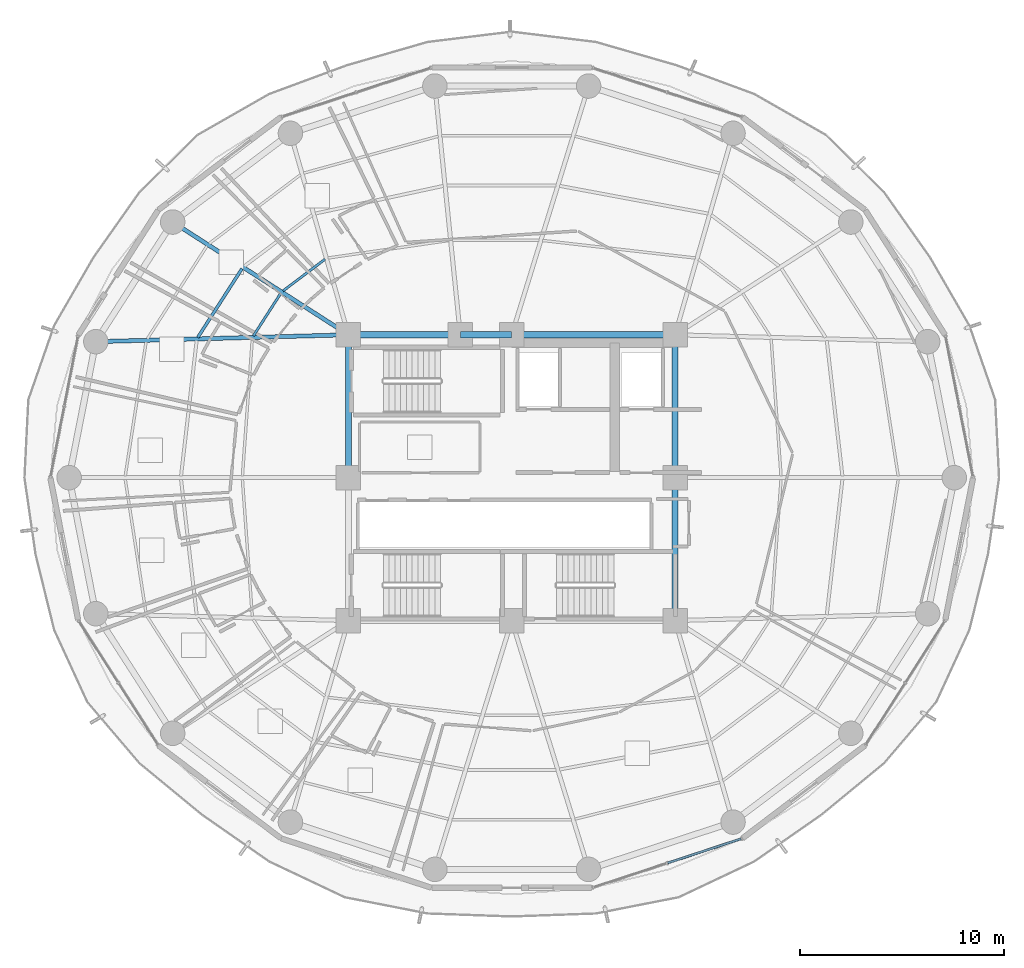
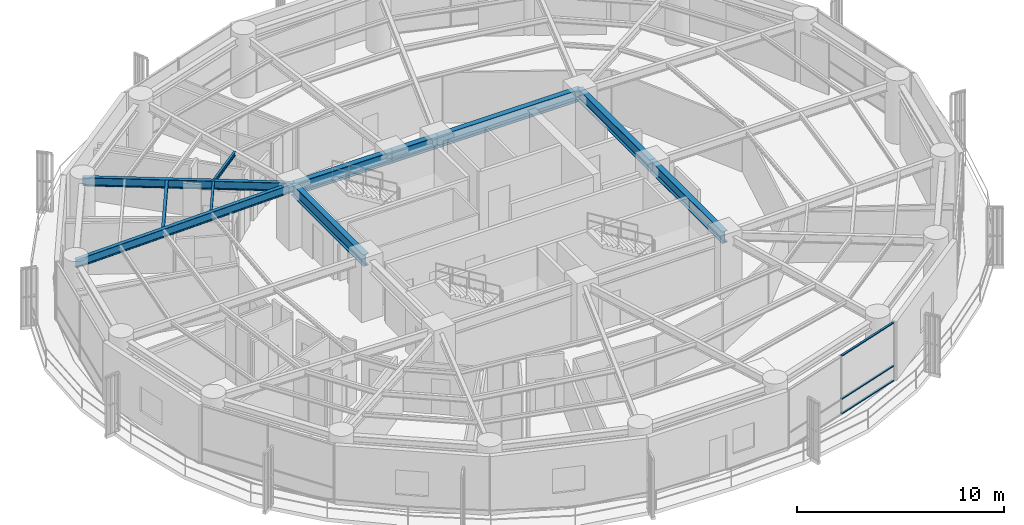
# One storey, part 9 of 28: 11 beams, 3 members, 1 element without a shape of its own.
"""IFC4 building model written with IfcOpenShell, lengths in metres."""

from ifc_helpers import new_model, si_unit, direction, frame, origin, origin_2d, place, context, subcontext, project, spatial, hollow_rectangle, i_section, extrude, material, layer, layer_set, material_profile, profile_set, type_object, element, aggregate, save


model = new_model("IFC4")

# Units and contexts
model_context = context("Model", 3, precision=1e-05, world=origin(), true_north=direction((0.0, 1.0)))
body_context = subcontext(model_context, "Body", "Model", "MODEL_VIEW")
ifc_project = project(units=[si_unit("LENGTHUNIT", "METRE"), si_unit("AREAUNIT", "SQUARE_METRE"), si_unit("VOLUMEUNIT", "CUBIC_METRE"), si_unit("PLANEANGLEUNIT", "RADIAN"), si_unit("MASSUNIT", "GRAM", prefix="KILO")], contexts=[model_context])

# Site, building, storey
site_placement = place(None, origin())
site = spatial("IfcSite", under=ifc_project, at=site_placement, CompositionType="ELEMENT")
building_placement = place(site_placement, origin())
building = spatial("IfcBuilding", under=site, at=building_placement, Name="Kelanora Arch Commons", CompositionType="ELEMENT")
storey_placement = place(building_placement, frame((0.0, 0.0, 139.35009765625)))
storey = spatial("IfcBuildingStorey", under=building, at=storey_placement, Name="L35", CompositionType="ELEMENT", Elevation=139.35009765625)

# Beams
ifc_material_1 = material(Name="Steel S355", Category="steel")
ifc_material_profile_1 = material_profile(ifc_material_1, i_section(OverallWidth=0.300048828125, OverallDepth=0.699951171875, WebThickness=0.01708984375, FlangeThickness=0.031982421875, FilletRadius=0.027099609375, at=origin_2d()), Name="HEB700")
ifc_profile_set_1 = profile_set([ifc_material_profile_1], Name="Steel S355")
beam_type_1 = type_object("IfcBeamType", Name="BM-CORE-HDR", PredefinedType="BEAM", material=ifc_profile_set_1)
for number, where, z_axis, x_axis, name in (
    (1, (82.0, 51.0, 3.139892578125), (0.0, 1.0, 0.0), (-1.0, 0.0, 0.0), "Core Header Beam 03 L35"),
    (2, (82.0, 58.0, 3.139892578125), (0.0, 1.0, 0.0), (-1.0, 0.0, 0.0), "Core Header Beam 04 L35"),
):
    element("IfcBeam", number, at=place(storey_placement, frame(where, z_axis=z_axis, x_axis=x_axis)), inside=storey, type_object=beam_type_1, Name=name, PredefinedType="BEAM", context=body_context, shape_type="SweptSolid", body=[
        extrude(i_section(OverallWidth=0.300048828125, OverallDepth=0.699951171875, WebThickness=0.01708984375, FlangeThickness=0.031982421875, FilletRadius=0.027099609375, at=origin_2d()), origin(), (0.0, 0.0, 1.0), 7.0),
    ])
beam_1_placement = place(storey_placement, frame((82.0, 65.0, 3.139892578125), z_axis=(-1.0, 0.0, 0.0), x_axis=(0.0, -1.0, 0.0)))
element("IfcBeam", 3, at=beam_1_placement, inside=storey, type_object=beam_type_1, Name="Core Header Beam 05 L35", PredefinedType="BEAM", context=body_context, shape_type="SweptSolid", body=[
    extrude(i_section(OverallWidth=0.300048828125, OverallDepth=0.699951171875, WebThickness=0.01708984375, FlangeThickness=0.031982421875, FilletRadius=0.027099609375, at=origin_2d()), origin(), (0.0, 0.0, 1.0), 8.0),
])
beam_2_placement = place(storey_placement, frame((74.0, 65.0, 3.139892578125), z_axis=(-1.0, 0.0, 0.0), x_axis=(0.0, -1.0, 0.0)))
element("IfcBeam", 4, at=beam_2_placement, inside=storey, type_object=beam_type_1, Name="Core Header Beam 06 L35", PredefinedType="BEAM", context=body_context, shape_type="SweptSolid", body=[
    extrude(i_section(OverallWidth=0.300048828125, OverallDepth=0.699951171875, WebThickness=0.01708984375, FlangeThickness=0.031982421875, FilletRadius=0.027099609375, at=origin_2d()), origin(), (0.0, 0.0, 1.0), 2.52001953125),
])
beam_3_placement = place(storey_placement, frame((71.47998046875, 65.0, 3.139892578125), z_axis=(-1.0, 0.0, 0.0), x_axis=(0.0, -1.0, 0.0)))
element("IfcBeam", 5, at=beam_3_placement, inside=storey, type_object=beam_type_1, Name="Core Header Beam 07 L35", PredefinedType="BEAM", context=body_context, shape_type="SweptSolid", body=[
    extrude(i_section(OverallWidth=0.300048828125, OverallDepth=0.699951171875, WebThickness=0.01708984375, FlangeThickness=0.031982421875, FilletRadius=0.027099609375, at=origin_2d()), origin(), (0.0, 0.0, 1.0), 5.47998046875),
])
beam_4_placement = place(storey_placement, frame((66.0, 65.0, 3.139892578125), z_axis=(0.0, -1.0, 0.0), x_axis=(1.0, 0.0, 0.0)))
element("IfcBeam", 6, at=beam_4_placement, inside=storey, type_object=beam_type_1, Name="Core Header Beam 08 L35", PredefinedType="BEAM", context=body_context, shape_type="SweptSolid", body=[
    extrude(i_section(OverallWidth=0.300048828125, OverallDepth=0.699951171875, WebThickness=0.01708984375, FlangeThickness=0.031982421875, FilletRadius=0.027099609375, at=origin_2d()), origin(), (0.0, 0.0, 1.0), 7.0),
])
ifc_material_profile_2 = material_profile(ifc_material_1, i_section(OverallWidth=0.14990234375, OverallDepth=0.300048828125, WebThickness=0.007080078125, FlangeThickness=0.0107421875, FilletRadius=0.014892578125, at=origin_2d()), Name="IPE300")
ifc_profile_set_2 = profile_set([ifc_material_profile_2], Name="Steel S355")
beam_type_2 = type_object("IfcBeamType", Name="BM-JST-01", PredefinedType="JOIST", material=ifc_profile_set_2)
beam_5_placement = place(storey_placement, frame((60.789306640625, 68.241455078125, 3.33984375), z_axis=(-0.540594434398, -0.841283339606, 0.0), x_axis=(0.841283339606, -0.540594434398, 0.0)))
element("IfcBeam", 7, at=beam_5_placement, inside=storey, type_object=beam_type_2, Name="Secondary Chord Joist BJB-14 L35", PredefinedType="JOIST", context=body_context, shape_type="SweptSolid", body=[
    extrude(i_section(OverallWidth=0.14990234375, OverallDepth=0.300048828125, WebThickness=0.007080078125, FlangeThickness=0.0107421875, FilletRadius=0.014892578125, at=origin_2d()), origin(), (0.0, 0.0, 1.0), 4.008544921875),
])
ifc_material_profile_3 = material_profile(ifc_material_1, i_section(OverallWidth=0.1201171875, OverallDepth=0.239990234375, WebThickness=0.006103515625, FlangeThickness=0.009765625, FilletRadius=0.014892578125, at=origin_2d()), Name="IPE240")
ifc_profile_set_3 = profile_set([ifc_material_profile_3], Name="Steel S355")
beam_type_3 = type_object("IfcBeamType", Name="BM-JST-02", PredefinedType="JOIST", material=ifc_profile_set_3)
beam_6_placement = place(storey_placement, frame((64.852783203125, 68.699462890625, 3.369873046875), z_axis=(-0.798484118859, -0.602015873487, 0.0), x_axis=(0.602015873487, -0.798484118859, 0.0)))
element("IfcBeam", 8, at=beam_6_placement, inside=storey, type_object=beam_type_3, Name="Secondary Chord Joist BJA-12 L35", PredefinedType="JOIST", context=body_context, shape_type="SweptSolid", body=[
    extrude(i_section(OverallWidth=0.1201171875, OverallDepth=0.239990234375, WebThickness=0.006103515625, FlangeThickness=0.009765625, FilletRadius=0.014892578125, at=origin_2d()), origin(), (0.0, 0.0, 1.0), 2.57470703125),
])
beam_7_placement = place(storey_placement, frame((62.68310546875, 67.026611328125, 3.369873046875), z_axis=(-0.540583174025, -0.841290575224, 0.0), x_axis=(0.841290575224, -0.540583174025, 0.0)))
element("IfcBeam", 9, at=beam_7_placement, inside=storey, type_object=beam_type_3, Name="Secondary Chord Joist BJA-14 L35", PredefinedType="JOIST", context=body_context, shape_type="SweptSolid", body=[
    extrude(i_section(OverallWidth=0.1201171875, OverallDepth=0.239990234375, WebThickness=0.006103515625, FlangeThickness=0.009765625, FilletRadius=0.014892578125, at=origin_2d()), origin(), (0.0, 0.0, 1.0), 2.476318359375),
])
ifc_material_profile_4 = material_profile(ifc_material_1, i_section(OverallWidth=0.199951171875, OverallDepth=0.5, WebThickness=0.01025390625, FlangeThickness=0.01611328125, FilletRadius=0.02099609375, at=origin_2d()), Name="IPE500")
ifc_profile_set_4 = profile_set([ifc_material_profile_4], Name="Steel S355")
beam_type_4 = type_object("IfcBeamType", Name="BM-RAD-Z3", PredefinedType="BEAM", material=ifc_profile_set_4)
beam_8_placement = place(storey_placement, frame((66.0, 65.0, 3.239990234375), z_axis=(-0.841719465748, 0.539915123868, 0.0), x_axis=(-0.539915123868, -0.841719465748, 0.0)))
element("IfcBeam", 10, at=beam_8_placement, inside=storey, type_object=beam_type_4, Name="Radial Floor Girder BR-14 L35", PredefinedType="BEAM", context=body_context, shape_type="SweptSolid", body=[
    extrude(i_section(OverallWidth=0.199951171875, OverallDepth=0.5, WebThickness=0.01025390625, FlangeThickness=0.01611328125, FilletRadius=0.02099609375, at=origin_2d()), origin(), (0.0, 0.0, 1.0), 10.2265625),
])
beam_9_placement = place(storey_placement, frame((66.0, 65.0, 3.239990234375), z_axis=(-0.999628374924, -0.027260081577, 0.0), x_axis=(0.027260081577, -0.999628374924, 0.0)))
element("IfcBeam", 11, at=beam_9_placement, inside=storey, type_object=beam_type_4, Name="Radial Floor Girder BR-16 L35", PredefinedType="BEAM", context=body_context, shape_type="SweptSolid", body=[
    extrude(i_section(OverallWidth=0.199951171875, OverallDepth=0.5, WebThickness=0.01025390625, FlangeThickness=0.01611328125, FilletRadius=0.02099609375, at=origin_2d()), origin(), (0.0, 0.0, 1.0), 12.377197265625),
])

# Curtain wall, members
ifc_material_2 = material(Name="Terracotta ceramic-fritted low-E glass and aluminium", Category="masonry")
ifc_layer = layer(ifc_material_2, 0.175048828125)
ifc_layer_set = layer_set([ifc_layer], Name="Terracotta ceramic-fritted low-E glass and aluminium")
curtain_wall_type = type_object("IfcCurtainWallType", Name="CW-SYS-02", PredefinedType="NOTDEFINED", material=ifc_layer_set)
curtain_wall_placement = place(storey_placement, origin())
curtain_wall = element("IfcCurtainWall", 12, at=curtain_wall_placement, inside=storey, type_object=curtain_wall_type, Name="Unitised Curtain Wall L35-B14", PredefinedType="NOTDEFINED")
ifc_material_3 = material(Name="Powder-coated aluminium terracotta", Category="masonry")
ifc_material_profile_5 = material_profile(ifc_material_3, hollow_rectangle(XDim=0.1201171875, YDim=0.06005859375, WallThickness=0.0048828125, InnerFilletRadius=0.0048828125, OuterFilletRadius=0.010009765625, at=origin_2d()), Name="CWT120x60")
ifc_profile_set_5 = profile_set([ifc_material_profile_5], Name="Powder-coated aluminium terracotta")
member_type = type_object("IfcMemberType", Name="CWT-STD", PredefinedType="USERDEFINED", material=ifc_profile_set_5)
member_1_placement = place(storey_placement, frame((81.640625, 39.130859375, 0.02978515625), z_axis=(0.950051191155, 0.312094111104, 0.0), x_axis=(-0.312094111104, 0.950051191155, 0.0)))
member_1 = element("IfcMember", 13, at=member_1_placement, type_object=member_type, Name="CW-02 transom 2.1", ObjectType="TRANSOM", PredefinedType="USERDEFINED", context=body_context, shape_type="SweptSolid", body=[
    extrude(hollow_rectangle(XDim=0.1201171875, YDim=0.06005859375, WallThickness=0.0048828125, InnerFilletRadius=0.0048828125, OuterFilletRadius=0.010009765625, at=origin_2d()), origin(), (0.0, 0.0, 1.0), 3.77685546875),
])
member_2_placement = place(storey_placement, frame((81.640625, 39.130859375, 0.89990234375), z_axis=(0.950051191155, 0.312094111104, 0.0), x_axis=(-0.312094111104, 0.950051191155, 0.0)))
member_2 = element("IfcMember", 14, at=member_2_placement, type_object=member_type, Name="CW-02 transom 2.2", ObjectType="TRANSOM", PredefinedType="USERDEFINED", context=body_context, shape_type="SweptSolid", body=[
    extrude(hollow_rectangle(XDim=0.1201171875, YDim=0.06005859375, WallThickness=0.0048828125, InnerFilletRadius=0.0048828125, OuterFilletRadius=0.010009765625, at=origin_2d()), origin(), (0.0, 0.0, 1.0), 3.77685546875),
])
member_3_placement = place(storey_placement, frame((81.640625, 39.130859375, 3.44482421875), z_axis=(0.950051191155, 0.312094111104, 0.0), x_axis=(-0.312094111104, 0.950051191155, 0.0)))
member_3 = element("IfcMember", 15, at=member_3_placement, type_object=member_type, Name="CW-02 transom 2.3", ObjectType="TRANSOM", PredefinedType="USERDEFINED", context=body_context, shape_type="SweptSolid", body=[
    extrude(hollow_rectangle(XDim=0.1201171875, YDim=0.06005859375, WallThickness=0.0048828125, InnerFilletRadius=0.0048828125, OuterFilletRadius=0.010009765625, at=origin_2d()), origin(), (0.0, 0.0, 1.0), 3.77685546875),
])
aggregate(curtain_wall, [member_1, member_2, member_3])

save(model, "model.ifc")
